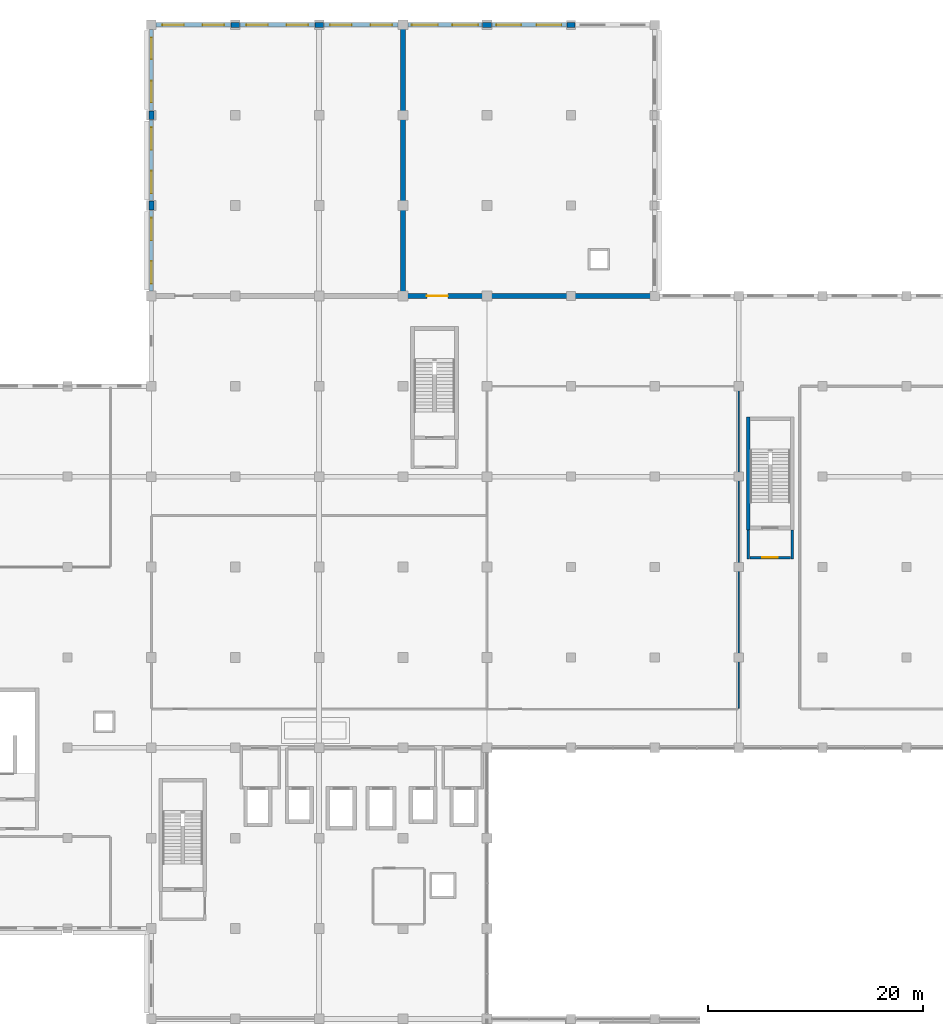
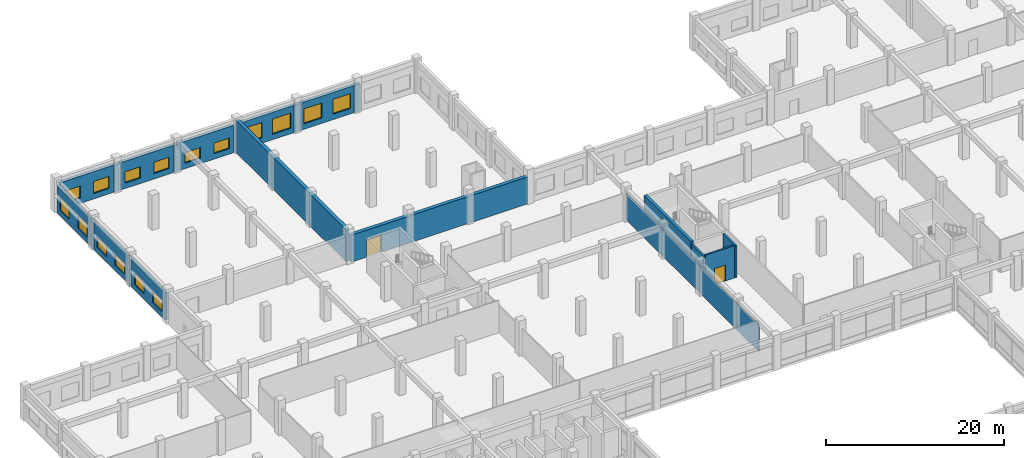
# One storey, part 60 of 79: 21 walls, 16 windows, 2 doors, 18 openings.
"""IFC4 building model written with IfcOpenShell, lengths in metres."""

from ifc_helpers import new_model, si_unit, direction, frame, frame_2d, origin, place, context, subcontext, project, spatial, rectangle, extrude, material, layer, layer_set, type_object, element, fill, save


model = new_model("IFC4")

# Units and contexts
model_context = context("Model", 3, precision=1e-05, world=origin(), true_north=direction((0.0, 1.0)))
body_context = subcontext(model_context, "Body", "Model", "MODEL_VIEW")
ifc_project = project(units=[si_unit("LENGTHUNIT", "METRE"), si_unit("AREAUNIT", "SQUARE_METRE"), si_unit("VOLUMEUNIT", "CUBIC_METRE"), si_unit("PLANEANGLEUNIT", "RADIAN"), si_unit("MASSUNIT", "GRAM", prefix="KILO"), si_unit("THERMODYNAMICTEMPERATUREUNIT", "KELVIN"), si_unit("POWERUNIT", "WATT")], contexts=[model_context])

# Site, building, storey
site_placement = place(None, origin())
site = spatial("IfcSite", under=ifc_project, at=site_placement, CompositionType="ELEMENT")
building_placement = place(site_placement, origin())
building = spatial("IfcBuilding", under=site, at=building_placement, Name="Srebrne Nadtorze General Hospital", CompositionType="ELEMENT")
storey_placement = place(building_placement, frame((0.0, 0.0, 4.800048828125)))
storey = spatial("IfcBuildingStorey", under=building, at=storey_placement, Name="L01", CompositionType="ELEMENT", Elevation=4.800048828125)

# Wall, openings, windows
ifc_material_1 = material(Name="Concrete C40/50", Category="concrete")
ifc_layer_1 = layer(ifc_material_1, 0.419921875)
ifc_layer_set_1 = layer_set([ifc_layer_1], Name="Concrete C40/50")
wall_type_1 = type_object("IfcWallType", Name="Acoustic buffer wall 420", PredefinedType="SOLIDWALL", material=ifc_layer_set_1)
wall_1_placement = place(storey_placement, frame((23.85009765625, 117.60009765625, 0.0), z_axis=(0.0, 0.0, 1.0), x_axis=(1.0, 0.0, 0.0)))
wall_1 = element("IfcWall", 1, at=wall_1_placement, inside=storey, type_object=wall_type_1, Name="Exterior wall WL-ENV-L01-0178", PredefinedType="SOLIDWALL", context=body_context, shape_type="SweptSolid", body=[
    extrude(rectangle(XDim=6.89990234375, YDim=0.419921875, at=frame_2d((3.449951171875, 0.0))), origin(), (0.0, 0.0, 1.0), 3.75),
])
opening_1_placement = place(wall_1_placement, frame((0.577880859375, 0.0, 0.75)))
opening_1 = element("IfcOpeningElement", 2, at=opening_1_placement, cuts=wall_1, Name="Opening WN-L01-0176", PredefinedType="OPENING", context=body_context, shape_type="SweptSolid", body=[
    extrude(rectangle(XDim=2.0, YDim=1.64990234375, at=frame_2d((1.0, 0.824951171875))), frame((0.0, 0.221923828125, 0.0), z_axis=(0.0, -1.0, 0.0), x_axis=(1.0, 0.0, 0.0)), (0.0, 0.0, 1.0), 0.44384765625),
])
opening_2_placement = place(wall_1_placement, frame((4.322021484375, 0.0, 0.75)))
opening_2 = element("IfcOpeningElement", 3, at=opening_2_placement, cuts=wall_1, Name="Opening WN-L01-0177", PredefinedType="OPENING", context=body_context, shape_type="SweptSolid", body=[
    extrude(rectangle(XDim=2.0, YDim=1.64990234375, at=frame_2d((1.0, 0.824951171875))), frame((0.0, 0.221923828125, 0.0), z_axis=(0.0, -1.0, 0.0), x_axis=(1.0, 0.0, 0.0)), (0.0, 0.0, 1.0), 0.44384765625),
])
ifc_material_2 = material(Name="Triple Low-E Glazing", Category="glass")
window_type_1 = type_object("IfcWindowType", Name="Punched clinical window 2000x1650", PartitioningType="DOUBLE_PANEL_VERTICAL", PredefinedType="WINDOW", material=ifc_material_2)
window_1_placement = place(opening_1_placement, origin())
window_1 = element("IfcWindow", 4, at=window_1_placement, inside=storey, type_object=window_type_1, Name="Clinical window WN-L01-0176", OverallHeight=1.64990234375, OverallWidth=2.0, PartitioningType="DOUBLE_PANEL_VERTICAL", PredefinedType="WINDOW", context=body_context, shape_type="SweptSolid", body=[
    extrude(rectangle(XDim=2.0, YDim=1.64990234375, at=frame_2d((1.0, 0.824951171875))), frame((0.0, 0.030029296875, 0.0), z_axis=(0.0, -1.0, 0.0), x_axis=(1.0, 0.0, 0.0)), (0.0, 0.0, 1.0), 0.06005859375),
])
fill(opening_1, window_1)
window_2_placement = place(opening_2_placement, origin())
window_2 = element("IfcWindow", 5, at=window_2_placement, inside=storey, type_object=window_type_1, Name="Clinical window WN-L01-0177", OverallHeight=1.64990234375, OverallWidth=2.0, PartitioningType="DOUBLE_PANEL_VERTICAL", PredefinedType="WINDOW", context=body_context, shape_type="SweptSolid", body=[
    extrude(rectangle(XDim=2.0, YDim=1.64990234375, at=frame_2d((1.0, 0.824951171875))), frame((0.0, 0.030029296875, 0.0), z_axis=(0.0, -1.0, 0.0), x_axis=(1.0, 0.0, 0.0)), (0.0, 0.0, 1.0), 0.06005859375),
])
fill(opening_2, window_2)

wall_2_placement = place(storey_placement, frame((31.64990234375, 117.60009765625, 0.0), z_axis=(0.0, 0.0, 1.0), x_axis=(1.0, 0.0, 0.0)))
wall_2 = element("IfcWall", 6, at=wall_2_placement, inside=storey, type_object=wall_type_1, Name="Exterior wall WL-ENV-L01-0179", PredefinedType="SOLIDWALL", context=body_context, shape_type="SweptSolid", body=[
    extrude(rectangle(XDim=6.900146484375, YDim=0.419921875, at=frame_2d((3.4501953125, 0.0))), origin(), (0.0, 0.0, 1.0), 3.75),
])
opening_3_placement = place(wall_2_placement, frame((0.577880859375, 0.0, 0.75)))
opening_3 = element("IfcOpeningElement", 7, at=opening_3_placement, cuts=wall_2, Name="Opening WN-L01-0178", PredefinedType="OPENING", context=body_context, shape_type="SweptSolid", body=[
    extrude(rectangle(XDim=2.0, YDim=1.550048828125, at=frame_2d((1.0, 0.77490234375))), frame((0.0, 0.221923828125, 0.0), z_axis=(0.0, -1.0, 0.0), x_axis=(1.0, 0.0, 0.0)), (0.0, 0.0, 1.0), 0.44384765625),
])
opening_4_placement = place(wall_2_placement, frame((4.322021484375, 0.0, 0.75)))
opening_4 = element("IfcOpeningElement", 8, at=opening_4_placement, cuts=wall_2, Name="Opening WN-L01-0179", PredefinedType="OPENING", context=body_context, shape_type="SweptSolid", body=[
    extrude(rectangle(XDim=2.0, YDim=1.550048828125, at=frame_2d((1.0, 0.77490234375))), frame((0.0, 0.221923828125, 0.0), z_axis=(0.0, -1.0, 0.0), x_axis=(1.0, 0.0, 0.0)), (0.0, 0.0, 1.0), 0.44384765625),
])
ifc_material_3 = material(Name="Triple Low-E Glazing", Category="glass")
window_type_2 = type_object("IfcWindowType", Name="Punched clinical window 2000x1550", PartitioningType="DOUBLE_PANEL_VERTICAL", PredefinedType="WINDOW", material=ifc_material_3)
window_3_placement = place(opening_3_placement, origin())
window_3 = element("IfcWindow", 9, at=window_3_placement, inside=storey, type_object=window_type_2, Name="Clinical window WN-L01-0178", OverallHeight=1.550048828125, OverallWidth=2.0, PartitioningType="DOUBLE_PANEL_VERTICAL", PredefinedType="WINDOW", context=body_context, shape_type="SweptSolid", body=[
    extrude(rectangle(XDim=2.0, YDim=1.550048828125, at=frame_2d((1.0, 0.77490234375))), frame((0.0, 0.030029296875, 0.0), z_axis=(0.0, -1.0, 0.0), x_axis=(1.0, 0.0, 0.0)), (0.0, 0.0, 1.0), 0.06005859375),
])
fill(opening_3, window_3)
window_4_placement = place(opening_4_placement, origin())
window_4 = element("IfcWindow", 10, at=window_4_placement, inside=storey, type_object=window_type_2, Name="Clinical window WN-L01-0179", OverallHeight=1.550048828125, OverallWidth=2.0, PartitioningType="DOUBLE_PANEL_VERTICAL", PredefinedType="WINDOW", context=body_context, shape_type="SweptSolid", body=[
    extrude(rectangle(XDim=2.0, YDim=1.550048828125, at=frame_2d((1.0, 0.77490234375))), frame((0.0, 0.030029296875, 0.0), z_axis=(0.0, -1.0, 0.0), x_axis=(1.0, 0.0, 0.0)), (0.0, 0.0, 1.0), 0.06005859375),
])
fill(opening_4, window_4)

wall_3_placement = place(storey_placement, frame((39.449951171875, 117.60009765625, 0.0), z_axis=(0.0, 0.0, 1.0), x_axis=(1.0, 0.0, 0.0)))
wall_3 = element("IfcWall", 11, at=wall_3_placement, inside=storey, type_object=wall_type_1, Name="Exterior wall WL-ENV-L01-0180", PredefinedType="SOLIDWALL", context=body_context, shape_type="SweptSolid", body=[
    extrude(rectangle(XDim=6.900146484375, YDim=0.419921875, at=frame_2d((3.4501953125, 0.0))), origin(), (0.0, 0.0, 1.0), 3.75),
])
opening_5_placement = place(wall_3_placement, frame((0.577880859375, 0.0, 0.75)))
opening_5 = element("IfcOpeningElement", 12, at=opening_5_placement, cuts=wall_3, Name="Opening WN-L01-0180", PredefinedType="OPENING", context=body_context, shape_type="SweptSolid", body=[
    extrude(rectangle(XDim=2.0, YDim=1.449951171875, at=frame_2d((1.0, 0.72509765625))), frame((0.0, 0.221923828125, 0.0), z_axis=(0.0, -1.0, 0.0), x_axis=(1.0, 0.0, 0.0)), (0.0, 0.0, 1.0), 0.44384765625),
])
opening_6_placement = place(wall_3_placement, frame((4.322021484375, 0.0, 0.75)))
opening_6 = element("IfcOpeningElement", 13, at=opening_6_placement, cuts=wall_3, Name="Opening WN-L01-0181", PredefinedType="OPENING", context=body_context, shape_type="SweptSolid", body=[
    extrude(rectangle(XDim=2.0, YDim=1.449951171875, at=frame_2d((1.0, 0.72509765625))), frame((0.0, 0.221923828125, 0.0), z_axis=(0.0, -1.0, 0.0), x_axis=(1.0, 0.0, 0.0)), (0.0, 0.0, 1.0), 0.44384765625),
])
ifc_material_4 = material(Name="Triple Low-E Glazing", Category="glass")
window_type_3 = type_object("IfcWindowType", Name="Punched clinical window 2000x1450", PartitioningType="DOUBLE_PANEL_VERTICAL", PredefinedType="WINDOW", material=ifc_material_4)
window_5_placement = place(opening_5_placement, origin())
window_5 = element("IfcWindow", 14, at=window_5_placement, inside=storey, type_object=window_type_3, Name="Clinical window WN-L01-0180", OverallHeight=1.449951171875, OverallWidth=2.0, PartitioningType="DOUBLE_PANEL_VERTICAL", PredefinedType="WINDOW", context=body_context, shape_type="SweptSolid", body=[
    extrude(rectangle(XDim=2.0, YDim=1.449951171875, at=frame_2d((1.0, 0.72509765625))), frame((0.0, 0.030029296875, 0.0), z_axis=(0.0, -1.0, 0.0), x_axis=(1.0, 0.0, 0.0)), (0.0, 0.0, 1.0), 0.06005859375),
])
fill(opening_5, window_5)
window_6_placement = place(opening_6_placement, origin())
window_6 = element("IfcWindow", 15, at=window_6_placement, inside=storey, type_object=window_type_3, Name="Clinical window WN-L01-0181", OverallHeight=1.449951171875, OverallWidth=2.0, PartitioningType="DOUBLE_PANEL_VERTICAL", PredefinedType="WINDOW", context=body_context, shape_type="SweptSolid", body=[
    extrude(rectangle(XDim=2.0, YDim=1.449951171875, at=frame_2d((1.0, 0.72509765625))), frame((0.0, 0.030029296875, 0.0), z_axis=(0.0, -1.0, 0.0), x_axis=(1.0, 0.0, 0.0)), (0.0, 0.0, 1.0), 0.06005859375),
])
fill(opening_6, window_6)

wall_4_placement = place(storey_placement, frame((47.25, 117.60009765625, 0.0), z_axis=(0.0, 0.0, 1.0), x_axis=(1.0, 0.0, 0.0)))
wall_4 = element("IfcWall", 16, at=wall_4_placement, inside=storey, type_object=wall_type_1, Name="Exterior wall WL-ENV-L01-0181", PredefinedType="SOLIDWALL", context=body_context, shape_type="SweptSolid", body=[
    extrude(rectangle(XDim=6.89990234375, YDim=0.419921875, at=frame_2d((3.449951171875, 0.0))), origin(), (0.0, 0.0, 1.0), 3.75),
])
opening_7_placement = place(wall_4_placement, frame((0.3779296875, 0.0, 0.75)))
opening_7 = element("IfcOpeningElement", 17, at=opening_7_placement, cuts=wall_4, Name="Opening WN-L01-0182", PredefinedType="OPENING", context=body_context, shape_type="SweptSolid", body=[
    extrude(rectangle(XDim=2.39990234375, YDim=2.10009765625, at=frame_2d((1.199951171875, 1.050048828125))), frame((0.0, 0.221923828125, 0.0), z_axis=(0.0, -1.0, 0.0), x_axis=(1.0, 0.0, 0.0)), (0.0, 0.0, 1.0), 0.44384765625),
])
opening_8_placement = place(wall_4_placement, frame((4.1220703125, 0.0, 0.75)))
opening_8 = element("IfcOpeningElement", 18, at=opening_8_placement, cuts=wall_4, Name="Opening WN-L01-0183", PredefinedType="OPENING", context=body_context, shape_type="SweptSolid", body=[
    extrude(rectangle(XDim=2.39990234375, YDim=2.10009765625, at=frame_2d((1.199951171875, 1.050048828125))), frame((0.0, 0.221923828125, 0.0), z_axis=(0.0, -1.0, 0.0), x_axis=(1.0, 0.0, 0.0)), (0.0, 0.0, 1.0), 0.44384765625),
])
ifc_material_5 = material(Name="Triple Low-E Glazing", Category="glass")
window_type_4 = type_object("IfcWindowType", Name="Punched clinical window 2400x2100", PartitioningType="DOUBLE_PANEL_VERTICAL", PredefinedType="WINDOW", material=ifc_material_5)
window_7_placement = place(opening_7_placement, origin())
window_7 = element("IfcWindow", 19, at=window_7_placement, inside=storey, type_object=window_type_4, Name="Clinical window WN-L01-0182", OverallHeight=2.10009765625, OverallWidth=2.39990234375, PartitioningType="DOUBLE_PANEL_VERTICAL", PredefinedType="WINDOW", context=body_context, shape_type="SweptSolid", body=[
    extrude(rectangle(XDim=2.39990234375, YDim=2.10009765625, at=frame_2d((1.199951171875, 1.050048828125))), frame((0.0, 0.030029296875, 0.0), z_axis=(0.0, -1.0, 0.0), x_axis=(1.0, 0.0, 0.0)), (0.0, 0.0, 1.0), 0.06005859375),
])
fill(opening_7, window_7)
window_8_placement = place(opening_8_placement, origin())
window_8 = element("IfcWindow", 20, at=window_8_placement, inside=storey, type_object=window_type_4, Name="Clinical window WN-L01-0183", OverallHeight=2.10009765625, OverallWidth=2.39990234375, PartitioningType="DOUBLE_PANEL_VERTICAL", PredefinedType="WINDOW", context=body_context, shape_type="SweptSolid", body=[
    extrude(rectangle(XDim=2.39990234375, YDim=2.10009765625, at=frame_2d((1.199951171875, 1.050048828125))), frame((0.0, 0.030029296875, 0.0), z_axis=(0.0, -1.0, 0.0), x_axis=(1.0, 0.0, 0.0)), (0.0, 0.0, 1.0), 0.06005859375),
])
fill(opening_8, window_8)

wall_5_placement = place(storey_placement, frame((55.050048828125, 117.60009765625, 0.0), z_axis=(0.0, 0.0, 1.0), x_axis=(1.0, 0.0, 0.0)))
wall_5 = element("IfcWall", 21, at=wall_5_placement, inside=storey, type_object=wall_type_1, Name="Exterior wall WL-ENV-L01-0182", PredefinedType="SOLIDWALL", context=body_context, shape_type="SweptSolid", body=[
    extrude(rectangle(XDim=6.925048828125, YDim=0.419921875, at=frame_2d((3.46240234375, 0.0))), origin(), (0.0, 0.0, 1.0), 3.75),
])
opening_9_placement = place(wall_5_placement, frame((0.427978515625, 0.0, 0.75)))
opening_9 = element("IfcOpeningElement", 22, at=opening_9_placement, cuts=wall_5, Name="Opening WN-L01-0184", PredefinedType="OPENING", context=body_context, shape_type="SweptSolid", body=[
    extrude(rectangle(XDim=2.300048828125, YDim=2.050048828125, at=frame_2d((1.14990234375, 1.02490234375))), frame((0.0, 0.221923828125, 0.0), z_axis=(0.0, -1.0, 0.0), x_axis=(1.0, 0.0, 0.0)), (0.0, 0.0, 1.0), 0.44384765625),
])
opening_10_placement = place(wall_5_placement, frame((4.172119140625, 0.0, 0.75)))
opening_10 = element("IfcOpeningElement", 23, at=opening_10_placement, cuts=wall_5, Name="Opening WN-L01-0185", PredefinedType="OPENING", context=body_context, shape_type="SweptSolid", body=[
    extrude(rectangle(XDim=2.300048828125, YDim=2.050048828125, at=frame_2d((1.14990234375, 1.02490234375))), frame((0.0, 0.221923828125, 0.0), z_axis=(0.0, -1.0, 0.0), x_axis=(1.0, 0.0, 0.0)), (0.0, 0.0, 1.0), 0.44384765625),
])
ifc_material_6 = material(Name="Triple Low-E Glazing", Category="glass")
window_type_5 = type_object("IfcWindowType", Name="Punched clinical window 2300x2050", PartitioningType="DOUBLE_PANEL_VERTICAL", PredefinedType="WINDOW", material=ifc_material_6)
window_9_placement = place(opening_9_placement, origin())
window_9 = element("IfcWindow", 24, at=window_9_placement, inside=storey, type_object=window_type_5, Name="Clinical window WN-L01-0184", OverallHeight=2.050048828125, OverallWidth=2.300048828125, PartitioningType="DOUBLE_PANEL_VERTICAL", PredefinedType="WINDOW", context=body_context, shape_type="SweptSolid", body=[
    extrude(rectangle(XDim=2.300048828125, YDim=2.050048828125, at=frame_2d((1.14990234375, 1.02490234375))), frame((0.0, 0.030029296875, 0.0), z_axis=(0.0, -1.0, 0.0), x_axis=(1.0, 0.0, 0.0)), (0.0, 0.0, 1.0), 0.06005859375),
])
fill(opening_9, window_9)
window_10_placement = place(opening_10_placement, origin())
window_10 = element("IfcWindow", 25, at=window_10_placement, inside=storey, type_object=window_type_5, Name="Clinical window WN-L01-0185", OverallHeight=2.050048828125, OverallWidth=2.300048828125, PartitioningType="DOUBLE_PANEL_VERTICAL", PredefinedType="WINDOW", context=body_context, shape_type="SweptSolid", body=[
    extrude(rectangle(XDim=2.300048828125, YDim=2.050048828125, at=frame_2d((1.14990234375, 1.02490234375))), frame((0.0, 0.030029296875, 0.0), z_axis=(0.0, -1.0, 0.0), x_axis=(1.0, 0.0, 0.0)), (0.0, 0.0, 1.0), 0.06005859375),
])
fill(opening_10, window_10)

# Walls
ifc_material_7 = material(Name="Gypsum Healthcare Partition")
ifc_layer_2 = layer(ifc_material_7, 0.239990234375)
ifc_layer_set_2 = layer_set([ifc_layer_2], Name="Gypsum Healthcare Partition")
wall_type_2 = type_object("IfcWallType", Name="Corridor fire wall 240", PredefinedType="STANDARD", material=ifc_layer_set_2)
for number, where, z_axis, x_axis, name in (
    (26, (78.875, 67.955078125, 0.0), (0.0, 0.0, 1.0), (0.0, 1.0, 0.0), "Fire lobby wall ST-07 WL-INT-L01-0181"),
    (27, (82.97509765625, 67.955078125, 0.0), (0.0, 0.0, 1.0), (0.0, 1.0, 0.0), "Fire lobby wall ST-07 WL-INT-L01-0182"),
):
    element("IfcWall", number, at=place(storey_placement, frame(where, z_axis=z_axis, x_axis=x_axis)), inside=storey, type_object=wall_type_2, Name=name, PredefinedType="STANDARD", context=body_context, shape_type="SweptSolid", body=[
        extrude(rectangle(XDim=2.69482421875, YDim=0.239990234375, at=frame_2d((1.347412109375, 0.0))), origin(), (0.0, 0.0, 1.0), 4.449951171875),
    ])

# Wall, opening, door
wall_6_placement = place(storey_placement, frame((79.050048828125, 68.074951171875, 0.0), z_axis=(0.0, 0.0, 1.0), x_axis=(1.0, 0.0, 0.0)))
wall_6 = element("IfcWall", 28, at=wall_6_placement, inside=storey, type_object=wall_type_2, Name="Fire lobby entry wall ST-07 WL-INT-L01-0183", PredefinedType="STANDARD", context=body_context, shape_type="SweptSolid", body=[
    extrude(rectangle(XDim=3.75, YDim=0.239990234375, at=frame_2d((1.875, 0.0))), origin(), (0.0, 0.0, 1.0), 4.449951171875),
])
opening_11_placement = place(wall_6_placement, frame((1.14990234375, 0.0, 0.0)))
opening_11 = element("IfcOpeningElement", 29, at=opening_11_placement, cuts=wall_6, Name="Opening D-L01-0046", PredefinedType="OPENING", context=body_context, shape_type="SweptSolid", body=[
    extrude(rectangle(XDim=1.449951171875, YDim=2.199951171875, at=frame_2d((0.72509765625, 1.10009765625))), frame((0.0, 0.1318359375, 0.0), z_axis=(0.0, -1.0, 0.0), x_axis=(1.0, 0.0, 0.0)), (0.0, 0.0, 1.0), 0.263916015625),
])
ifc_material_8 = material(Name="Anodised Aluminium", Category="aluminium")
door_type_1 = type_object("IfcDoorType", Name="Double leaf door 1450x2200", OperationType="DOUBLE_DOOR_SINGLE_SWING", PredefinedType="DOOR", material=ifc_material_8)
door_1_placement = place(opening_11_placement, origin())
door_1 = element("IfcDoor", 30, at=door_1_placement, inside=storey, type_object=door_type_1, Name="Fire lobby door ST-07 D-L01-0046", OperationType="DOUBLE_DOOR_SINGLE_SWING", OverallHeight=2.199951171875, OverallWidth=1.449951171875, PredefinedType="DOOR", context=body_context, shape_type="SweptSolid", body=[
    extrude(rectangle(XDim=1.449951171875, YDim=2.199951171875, at=frame_2d((0.72509765625, 1.10009765625))), frame((0.0, 0.02490234375, 0.0), z_axis=(0.0, -1.0, 0.0), x_axis=(1.0, 0.0, 0.0)), (0.0, 0.0, 1.0), 0.050048828125),
])
fill(opening_11, door_1)

# Walls
ifc_material_9 = material(Name="Concrete C35/45", Category="concrete")
ifc_layer_3 = layer(ifc_material_9, 0.449951171875)
ifc_layer_set_3 = layer_set([ifc_layer_3], Name="Concrete C35/45")
wall_type_3 = type_object("IfcWallType", Name="Radiation shield wall 450", PredefinedType="STANDARD", material=ifc_layer_set_3)
wall_7_placement = place(storey_placement, frame((30.7900390625, 117.60009765625, 0.0), z_axis=(0.0, 0.0, 1.0), x_axis=(1.0, 0.0, 0.0)))
element("IfcWall", 31, at=wall_7_placement, inside=storey, type_object=wall_type_3, Name="Diagnostic Imaging MRI Suite wall WL-INT-L01-1416", PredefinedType="STANDARD", context=body_context, shape_type="SweptSolid", body=[
    extrude(rectangle(XDim=0.820068359375, YDim=0.449951171875, at=frame_2d((0.41015625, 0.0))), origin(), (0.0, 0.0, 1.0), 3.699951171875),
])
wall_8_placement = place(storey_placement, frame((38.590087890625, 117.60009765625, 0.0), z_axis=(0.0, 0.0, 1.0), x_axis=(1.0, 0.0, 0.0)))
element("IfcWall", 32, at=wall_8_placement, inside=storey, type_object=wall_type_3, Name="Diagnostic Imaging MRI Suite wall WL-INT-L01-1417", PredefinedType="STANDARD", context=body_context, shape_type="SweptSolid", body=[
    extrude(rectangle(XDim=0.81982421875, YDim=0.449951171875, at=frame_2d((0.409912109375, 0.0))), origin(), (0.0, 0.0, 1.0), 3.699951171875),
])
for number, where, z_axis, x_axis, name in (
    (33, (23.39990234375, 100.389892578125, 0.0), (0.0, 0.0, 1.0), (0.0, 1.0, 0.0), "Diagnostic Imaging MRI Suite wall WL-INT-L01-1418"),
    (34, (23.39990234375, 108.7900390625, 0.0), (0.0, 0.0, 1.0), (0.0, 1.0, 0.0), "Diagnostic Imaging MRI Suite wall WL-INT-L01-1419"),
):
    element("IfcWall", number, at=place(storey_placement, frame(where, z_axis=z_axis, x_axis=x_axis)), inside=storey, type_object=wall_type_3, Name=name, PredefinedType="STANDARD", context=body_context, shape_type="SweptSolid", body=[
        extrude(rectangle(XDim=0.820068359375, YDim=0.449951171875, at=frame_2d((0.41015625, 0.0))), origin(), (0.0, 0.0, 1.0), 3.699951171875),
    ])
wall_9_placement = place(storey_placement, frame((46.800048828125, 92.614990234375, 0.0), z_axis=(0.0, 0.0, 1.0), x_axis=(0.0, 1.0, 0.0)))
element("IfcWall", 35, at=wall_9_placement, inside=storey, type_object=wall_type_3, Name="Diagnostic Imaging MRI Suite wall WL-INT-L01-1420", PredefinedType="STANDARD", context=body_context, shape_type="SweptSolid", body=[
    extrude(rectangle(XDim=24.77001953125, YDim=0.449951171875, at=frame_2d((12.385009765625, 0.0))), origin(), (0.0, 0.0, 1.0), 4.429931640625),
])

# Wall, opening, door
wall_10_placement = place(storey_placement, frame((47.014892578125, 92.39990234375, 0.0), z_axis=(0.0, 0.0, 1.0), x_axis=(1.0, 0.0, 0.0)))
wall_10 = element("IfcWall", 36, at=wall_10_placement, inside=storey, type_object=wall_type_3, Name="Diagnostic Imaging CT Suite wall WL-INT-L01-1421", PredefinedType="STANDARD", context=body_context, shape_type="SweptSolid", body=[
    extrude(rectangle(XDim=22.97021484375, YDim=0.449951171875, at=frame_2d((11.485107421875, 0.0))), origin(), (0.0, 0.0, 1.0), 3.699951171875),
])
opening_12_placement = place(wall_10_placement, frame((1.989013671875, 0.0, 0.0)))
opening_12 = element("IfcOpeningElement", 37, at=opening_12_placement, cuts=wall_10, Name="Opening D-L01-0221", PredefinedType="OPENING", context=body_context, shape_type="SweptSolid", body=[
    extrude(rectangle(XDim=1.949951171875, YDim=2.35009765625, at=frame_2d((0.97509765625, 1.175048828125))), frame((0.0, 0.23681640625, 0.0), z_axis=(0.0, -1.0, 0.0), x_axis=(1.0, 0.0, 0.0)), (0.0, 0.0, 1.0), 0.473876953125),
])
ifc_material_10 = material(Name="Anodised Aluminium", Category="aluminium")
door_type_2 = type_object("IfcDoorType", Name="Double leaf door 1950x2350", OperationType="DOUBLE_DOOR_SINGLE_SWING", PredefinedType="DOOR", material=ifc_material_10)
door_2_placement = place(opening_12_placement, origin())
door_2 = element("IfcDoor", 38, at=door_2_placement, inside=storey, type_object=door_type_2, Name="Diagnostic Imaging CT Suite door D-L01-0221", OperationType="DOUBLE_DOOR_SINGLE_SWING", OverallHeight=2.35009765625, OverallWidth=1.949951171875, PredefinedType="DOOR", context=body_context, shape_type="SweptSolid", body=[
    extrude(rectangle(XDim=1.949951171875, YDim=2.35009765625, at=frame_2d((0.97509765625, 1.175048828125))), frame((0.0, 0.02490234375, 0.0), z_axis=(0.0, -1.0, 0.0), x_axis=(1.0, 0.0, 0.0)), (0.0, 0.0, 1.0), 0.050048828125),
])
fill(opening_12, door_2)

# Walls
wall_11_placement = place(storey_placement, frame((54.18994140625, 117.60009765625, 0.0), z_axis=(0.0, 0.0, 1.0), x_axis=(1.0, 0.0, 0.0)))
element("IfcWall", 39, at=wall_11_placement, inside=storey, type_object=wall_type_3, Name="Diagnostic Imaging CT Suite wall WL-INT-L01-1422", PredefinedType="STANDARD", context=body_context, shape_type="SweptSolid", body=[
    extrude(rectangle(XDim=0.820068359375, YDim=0.449951171875, at=frame_2d((0.41015625, 0.0))), origin(), (0.0, 0.0, 1.0), 3.699951171875),
])
wall_12_placement = place(storey_placement, frame((62.014892578125, 117.60009765625, 0.0), z_axis=(0.0, 0.0, 1.0), x_axis=(1.0, 0.0, 0.0)))
element("IfcWall", 40, at=wall_12_placement, inside=storey, type_object=wall_type_3, Name="Diagnostic Imaging CT Suite wall WL-INT-L01-1423", PredefinedType="STANDARD", context=body_context, shape_type="SweptSolid", body=[
    extrude(rectangle(XDim=0.77001953125, YDim=0.449951171875, at=frame_2d((0.385009765625, 0.0))), origin(), (0.0, 0.0, 1.0), 3.699951171875),
])
ifc_material_11 = material(Name="Gypsum Healthcare Partition")
ifc_layer_4 = layer(ifc_material_11, 0.10009765625)
ifc_layer_set_4 = layer_set([ifc_layer_4], Name="Gypsum Healthcare Partition")
wall_type_4 = type_object("IfcWallType", Name="Shaft lining wall 100", PredefinedType="PARTITIONING", material=ifc_layer_set_4)
wall_13_placement = place(storey_placement, frame((78.0, 54.0849609375, 0.0), z_axis=(0.0, 0.0, 1.0), x_axis=(0.0, 1.0, 0.0)))
element("IfcWall", 41, at=wall_13_placement, inside=storey, type_object=wall_type_4, Name="Angiography and Fluoroscopy Suite wall WL-INT-L01-1442", PredefinedType="PARTITIONING", context=body_context, shape_type="SweptSolid", body=[
    extrude(rectangle(XDim=29.830078125, YDim=0.10009765625, at=frame_2d((14.9150390625, 0.0))), origin(), (0.0, 0.0, 1.0), 3.699951171875),
])
ifc_material_12 = material(Name="Concrete C40/50", Category="concrete")
ifc_layer_5 = layer(ifc_material_12, 0.35009765625)
ifc_layer_set_5 = layer_set([ifc_layer_5], Name="Concrete C40/50")
wall_type_5 = type_object("IfcWallType", Name="Shear core wall 350", PredefinedType="SHEAR", material=ifc_layer_set_5)
wall_14_placement = place(storey_placement, frame((78.875, 70.64990234375, 0.0), z_axis=(0.0, 0.0, 1.0), x_axis=(0.0, 1.0, 0.0)))
element("IfcWall", 42, at=wall_14_placement, inside=storey, type_object=wall_type_5, Name="Stair core wall ST-07 WL-INT-L01-0177", PredefinedType="SHEAR", context=body_context, shape_type="SweptSolid", body=[
    extrude(rectangle(XDim=10.5, YDim=0.35009765625, at=frame_2d((5.25, 0.0))), origin(), (0.0, 0.0, 1.0), 4.800048828125),
])

# Wall, openings, windows
ifc_material_13 = material(Name="Concrete C35/45", Category="concrete")
ifc_layer_6 = layer(ifc_material_13, 0.320068359375)
ifc_layer_set_6 = layer_set([ifc_layer_6], Name="Concrete C35/45")
wall_type_6 = type_object("IfcWallType", Name="Spandrel wall 320", PredefinedType="STANDARD", material=ifc_layer_set_6)
wall_15_placement = place(storey_placement, frame((23.39990234375, 92.85009765625, 0.0), z_axis=(0.0, 0.0, 1.0), x_axis=(0.0, 1.0, 0.0)))
wall_15 = element("IfcWall", 43, at=wall_15_placement, inside=storey, type_object=wall_type_6, Name="Exterior wall WL-ENV-L01-0195", PredefinedType="STANDARD", context=body_context, shape_type="SweptSolid", body=[
    extrude(rectangle(XDim=7.5, YDim=0.320068359375, at=frame_2d((3.75, 0.0))), origin(), (0.0, 0.0, 1.0), 3.75),
])
opening_13_placement = place(wall_15_placement, frame((0.68408203125, 0.0, 0.75)))
opening_13 = element("IfcOpeningElement", 44, at=opening_13_placement, cuts=wall_15, Name="Opening WN-L01-0209", PredefinedType="OPENING", context=body_context, shape_type="SweptSolid", body=[
    extrude(rectangle(XDim=2.10009765625, YDim=1.550048828125, at=frame_2d((1.050048828125, 0.77490234375))), frame((0.0, 0.171875, 0.0), z_axis=(0.0, -1.0, 0.0), x_axis=(1.0, 0.0, 0.0)), (0.0, 0.0, 1.0), 0.343994140625),
])
opening_14_placement = place(wall_15_placement, frame((4.716064453125, 0.0, 0.75)))
opening_14 = element("IfcOpeningElement", 45, at=opening_14_placement, cuts=wall_15, Name="Opening WN-L01-0210", PredefinedType="OPENING", context=body_context, shape_type="SweptSolid", body=[
    extrude(rectangle(XDim=2.10009765625, YDim=1.550048828125, at=frame_2d((1.050048828125, 0.77490234375))), frame((0.0, 0.171875, 0.0), z_axis=(0.0, -1.0, 0.0), x_axis=(1.0, 0.0, 0.0)), (0.0, 0.0, 1.0), 0.343994140625),
])
ifc_material_14 = material(Name="Triple Low-E Glazing", Category="glass")
window_type_6 = type_object("IfcWindowType", Name="Punched clinical window 2100x1550", PartitioningType="DOUBLE_PANEL_VERTICAL", PredefinedType="WINDOW", material=ifc_material_14)
window_11_placement = place(opening_13_placement, origin())
window_11 = element("IfcWindow", 46, at=window_11_placement, inside=storey, type_object=window_type_6, Name="Clinical window WN-L01-0209", OverallHeight=1.550048828125, OverallWidth=2.10009765625, PartitioningType="DOUBLE_PANEL_VERTICAL", PredefinedType="WINDOW", context=body_context, shape_type="SweptSolid", body=[
    extrude(rectangle(XDim=2.10009765625, YDim=1.550048828125, at=frame_2d((1.050048828125, 0.77490234375))), frame((0.0, 0.030029296875, 0.0), z_axis=(0.0, -1.0, 0.0), x_axis=(1.0, 0.0, 0.0)), (0.0, 0.0, 1.0), 0.06005859375),
])
fill(opening_13, window_11)
window_12_placement = place(opening_14_placement, origin())
window_12 = element("IfcWindow", 47, at=window_12_placement, inside=storey, type_object=window_type_6, Name="Clinical window WN-L01-0210", OverallHeight=1.550048828125, OverallWidth=2.10009765625, PartitioningType="DOUBLE_PANEL_VERTICAL", PredefinedType="WINDOW", context=body_context, shape_type="SweptSolid", body=[
    extrude(rectangle(XDim=2.10009765625, YDim=1.550048828125, at=frame_2d((1.050048828125, 0.77490234375))), frame((0.0, 0.030029296875, 0.0), z_axis=(0.0, -1.0, 0.0), x_axis=(1.0, 0.0, 0.0)), (0.0, 0.0, 1.0), 0.06005859375),
])
fill(opening_14, window_12)

wall_16_placement = place(storey_placement, frame((23.39990234375, 101.25, 0.0), z_axis=(0.0, 0.0, 1.0), x_axis=(0.0, 1.0, 0.0)))
wall_16 = element("IfcWall", 48, at=wall_16_placement, inside=storey, type_object=wall_type_6, Name="Exterior wall WL-ENV-L01-0196", PredefinedType="STANDARD", context=body_context, shape_type="SweptSolid", body=[
    extrude(rectangle(XDim=7.5, YDim=0.320068359375, at=frame_2d((3.75, 0.0))), origin(), (0.0, 0.0, 1.0), 3.75),
])
opening_15_placement = place(wall_16_placement, frame((0.68408203125, 0.0, 0.75)))
opening_15 = element("IfcOpeningElement", 49, at=opening_15_placement, cuts=wall_16, Name="Opening WN-L01-0211", PredefinedType="OPENING", context=body_context, shape_type="SweptSolid", body=[
    extrude(rectangle(XDim=2.10009765625, YDim=1.449951171875, at=frame_2d((1.050048828125, 0.72509765625))), frame((0.0, 0.171875, 0.0), z_axis=(0.0, -1.0, 0.0), x_axis=(1.0, 0.0, 0.0)), (0.0, 0.0, 1.0), 0.343994140625),
])
opening_16_placement = place(wall_16_placement, frame((4.716064453125, 0.0, 0.75)))
opening_16 = element("IfcOpeningElement", 50, at=opening_16_placement, cuts=wall_16, Name="Opening WN-L01-0212", PredefinedType="OPENING", context=body_context, shape_type="SweptSolid", body=[
    extrude(rectangle(XDim=2.10009765625, YDim=1.449951171875, at=frame_2d((1.050048828125, 0.72509765625))), frame((0.0, 0.171875, 0.0), z_axis=(0.0, -1.0, 0.0), x_axis=(1.0, 0.0, 0.0)), (0.0, 0.0, 1.0), 0.343994140625),
])
ifc_material_15 = material(Name="Triple Low-E Glazing", Category="glass")
window_type_7 = type_object("IfcWindowType", Name="Punched clinical window 2100x1450", PartitioningType="DOUBLE_PANEL_VERTICAL", PredefinedType="WINDOW", material=ifc_material_15)
window_13_placement = place(opening_15_placement, origin())
window_13 = element("IfcWindow", 51, at=window_13_placement, inside=storey, type_object=window_type_7, Name="Clinical window WN-L01-0211", OverallHeight=1.449951171875, OverallWidth=2.10009765625, PartitioningType="DOUBLE_PANEL_VERTICAL", PredefinedType="WINDOW", context=body_context, shape_type="SweptSolid", body=[
    extrude(rectangle(XDim=2.10009765625, YDim=1.449951171875, at=frame_2d((1.050048828125, 0.72509765625))), frame((0.0, 0.030029296875, 0.0), z_axis=(0.0, -1.0, 0.0), x_axis=(1.0, 0.0, 0.0)), (0.0, 0.0, 1.0), 0.06005859375),
])
fill(opening_15, window_13)
window_14_placement = place(opening_16_placement, origin())
window_14 = element("IfcWindow", 52, at=window_14_placement, inside=storey, type_object=window_type_7, Name="Clinical window WN-L01-0212", OverallHeight=1.449951171875, OverallWidth=2.10009765625, PartitioningType="DOUBLE_PANEL_VERTICAL", PredefinedType="WINDOW", context=body_context, shape_type="SweptSolid", body=[
    extrude(rectangle(XDim=2.10009765625, YDim=1.449951171875, at=frame_2d((1.050048828125, 0.72509765625))), frame((0.0, 0.030029296875, 0.0), z_axis=(0.0, -1.0, 0.0), x_axis=(1.0, 0.0, 0.0)), (0.0, 0.0, 1.0), 0.06005859375),
])
fill(opening_16, window_14)

wall_17_placement = place(storey_placement, frame((23.39990234375, 109.64990234375, 0.0), z_axis=(0.0, 0.0, 1.0), x_axis=(0.0, 1.0, 0.0)))
wall_17 = element("IfcWall", 53, at=wall_17_placement, inside=storey, type_object=wall_type_6, Name="Exterior wall WL-ENV-L01-0197", PredefinedType="STANDARD", context=body_context, shape_type="SweptSolid", body=[
    extrude(rectangle(XDim=7.5, YDim=0.320068359375, at=frame_2d((3.75, 0.0))), origin(), (0.0, 0.0, 1.0), 3.75),
])
opening_17_placement = place(wall_17_placement, frame((0.73388671875, 0.0, 0.75)))
opening_17 = element("IfcOpeningElement", 54, at=opening_17_placement, cuts=wall_17, Name="Opening WN-L01-0213", PredefinedType="OPENING", context=body_context, shape_type="SweptSolid", body=[
    extrude(rectangle(XDim=2.0, YDim=1.75, at=frame_2d((1.0, 0.875))), frame((0.0, 0.171875, 0.0), z_axis=(0.0, -1.0, 0.0), x_axis=(1.0, 0.0, 0.0)), (0.0, 0.0, 1.0), 0.343994140625),
])
opening_18_placement = place(wall_17_placement, frame((4.76611328125, 0.0, 0.75)))
opening_18 = element("IfcOpeningElement", 55, at=opening_18_placement, cuts=wall_17, Name="Opening WN-L01-0214", PredefinedType="OPENING", context=body_context, shape_type="SweptSolid", body=[
    extrude(rectangle(XDim=2.0, YDim=1.75, at=frame_2d((1.0, 0.875))), frame((0.0, 0.171875, 0.0), z_axis=(0.0, -1.0, 0.0), x_axis=(1.0, 0.0, 0.0)), (0.0, 0.0, 1.0), 0.343994140625),
])
ifc_material_16 = material(Name="Triple Low-E Glazing", Category="glass")
window_type_8 = type_object("IfcWindowType", Name="Punched clinical window 2000x1750", PartitioningType="DOUBLE_PANEL_VERTICAL", PredefinedType="WINDOW", material=ifc_material_16)
window_15_placement = place(opening_17_placement, origin())
window_15 = element("IfcWindow", 56, at=window_15_placement, inside=storey, type_object=window_type_8, Name="Clinical window WN-L01-0213", OverallHeight=1.75, OverallWidth=2.0, PartitioningType="DOUBLE_PANEL_VERTICAL", PredefinedType="WINDOW", context=body_context, shape_type="SweptSolid", body=[
    extrude(rectangle(XDim=2.0, YDim=1.75, at=frame_2d((1.0, 0.875))), frame((0.0, 0.030029296875, 0.0), z_axis=(0.0, -1.0, 0.0), x_axis=(1.0, 0.0, 0.0)), (0.0, 0.0, 1.0), 0.06005859375),
])
fill(opening_17, window_15)
window_16_placement = place(opening_18_placement, origin())
window_16 = element("IfcWindow", 57, at=window_16_placement, inside=storey, type_object=window_type_8, Name="Clinical window WN-L01-0214", OverallHeight=1.75, OverallWidth=2.0, PartitioningType="DOUBLE_PANEL_VERTICAL", PredefinedType="WINDOW", context=body_context, shape_type="SweptSolid", body=[
    extrude(rectangle(XDim=2.0, YDim=1.75, at=frame_2d((1.0, 0.875))), frame((0.0, 0.030029296875, 0.0), z_axis=(0.0, -1.0, 0.0), x_axis=(1.0, 0.0, 0.0)), (0.0, 0.0, 1.0), 0.06005859375),
])
fill(opening_18, window_16)

save(model, "model.ifc")
